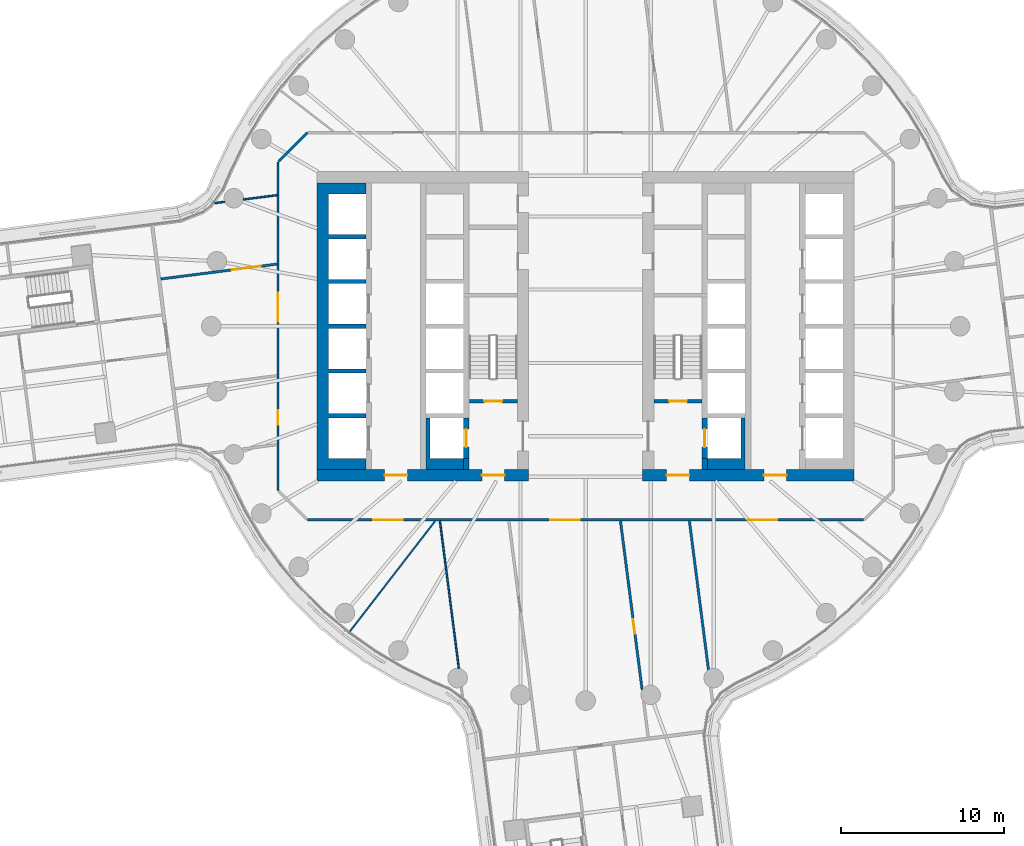
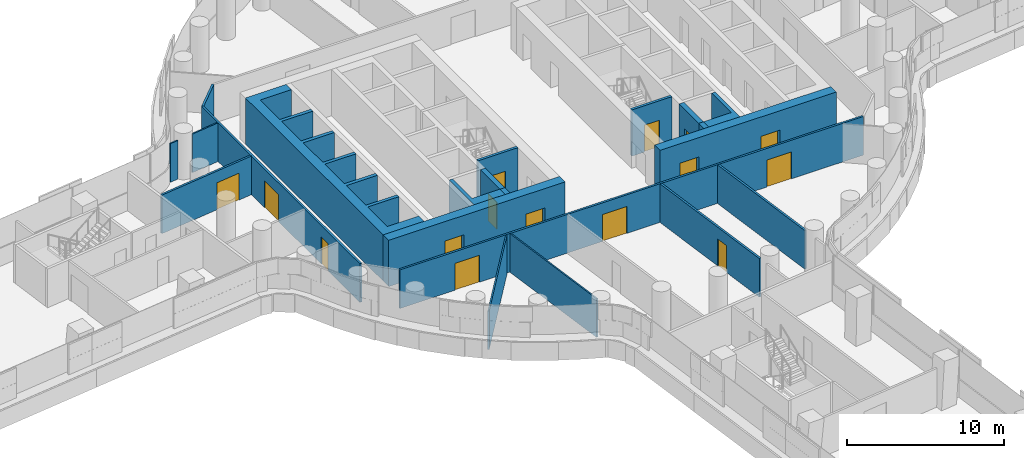
# One storey, part 20 of 31: 21 walls, 15 doors, 15 openings.
"""IFC4 building model written with IfcOpenShell, lengths in metres."""

from ifc_helpers import new_model, si_unit, direction, frame, frame_2d, origin, place, context, subcontext, project, spatial, polyline, rectangle, outline, extrude, material, layer, layer_set, type_object, element, fill, save


model = new_model("IFC4")

# Units and contexts
model_context = context("Model", 3, precision=1e-05, world=origin(), true_north=direction((0.0, 1.0)))
body_context = subcontext(model_context, "Body", "Model", "MODEL_VIEW")
ifc_project = project(units=[si_unit("LENGTHUNIT", "METRE"), si_unit("AREAUNIT", "SQUARE_METRE"), si_unit("VOLUMEUNIT", "CUBIC_METRE"), si_unit("PLANEANGLEUNIT", "RADIAN"), si_unit("MASSUNIT", "GRAM", prefix="KILO")], contexts=[model_context])

# Site, building, storey
site_placement = place(None, origin())
site = spatial("IfcSite", under=ifc_project, at=site_placement, CompositionType="ELEMENT")
building_placement = place(site_placement, origin())
building = spatial("IfcBuilding", under=site, at=building_placement, Name="Tamarind Cross Interchange Tower", CompositionType="ELEMENT")
storey_placement = place(building_placement, frame((0.0, 0.0, 60.25)))
storey = spatial("IfcBuildingStorey", under=building, at=storey_placement, Name="L13", CompositionType="ELEMENT", Elevation=60.25)

# Wall, openings, doors
ifc_material_1 = material(Name="Concrete C80", Category="concrete")
ifc_layer_1 = layer(ifc_material_1, 0.699951171875)
ifc_layer_set_1 = layer_set([ifc_layer_1], Name="Concrete C80")
wall_type_1 = type_object("IfcWallType", Name="Core wall 700 mm Concrete C80", PredefinedType="SHEAR", material=ifc_layer_set_1)
wall_1_placement = place(storey_placement, frame((-16.5, -9.14990234375, 0.0), z_axis=(0.0, 0.0, 1.0), x_axis=(1.0, 0.0, 0.0)))
wall_1 = element("IfcWall", 1, at=wall_1_placement, inside=storey, type_object=wall_type_1, Name="Core wall CWL-L13-W-S", PredefinedType="SHEAR", context=body_context, shape_type="SweptSolid", body=[
    extrude(rectangle(XDim=13.0, YDim=0.699951171875, at=frame_2d((6.5, 0.0))), origin(), (0.0, 0.0, 1.0), 3.610107421875),
])
opening_1_placement = place(wall_1_placement, frame((4.14990234375, 0.0, 0.0)))
opening_1 = element("IfcOpeningElement", 2, at=opening_1_placement, cuts=wall_1, Name="Opening DCW1", PredefinedType="OPENING", context=body_context, shape_type="SweptSolid", body=[
    extrude(rectangle(XDim=1.39990234375, YDim=2.10009765625, at=frame_2d((0.699951171875, 1.050048828125))), frame((0.0, 0.35986328125, 0.0), z_axis=(0.0, -1.0, 0.0), x_axis=(1.0, 0.0, 0.0)), (0.0, 0.0, 1.0), 0.719970703125),
])
opening_2_placement = place(wall_1_placement, frame((10.125, 0.0, 0.0)))
opening_2 = element("IfcOpeningElement", 3, at=opening_2_placement, cuts=wall_1, Name="Opening DCWF", PredefinedType="OPENING", context=body_context, shape_type="SweptSolid", body=[
    extrude(rectangle(XDim=1.39990234375, YDim=2.10009765625, at=frame_2d((0.699951171875, 1.050048828125))), frame((0.0, 0.35986328125, 0.0), z_axis=(0.0, -1.0, 0.0), x_axis=(1.0, 0.0, 0.0)), (0.0, 0.0, 1.0), 0.719970703125),
])
ifc_material_2 = material(Name="Steel, fire-resisting", Category="steel")
door_type_1 = type_object("IfcDoorType", Name="Core fire door 1400 x 2100 FD90", OperationType="SINGLE_SWING_LEFT", PredefinedType="DOOR", material=ifc_material_2)
door_1_placement = place(opening_1_placement, origin())
door_1 = element("IfcDoor", 4, at=door_1_placement, inside=storey, type_object=door_type_1, Name="L13 lift lobby door", OperationType="SINGLE_SWING_LEFT", OverallHeight=2.10009765625, OverallWidth=1.39990234375, PredefinedType="DOOR", context=body_context, shape_type="SweptSolid", body=[
    extrude(rectangle(XDim=1.39990234375, YDim=2.10009765625, at=frame_2d((0.699951171875, 1.050048828125))), frame((0.0, 0.02490234375, 0.0), z_axis=(0.0, -1.0, 0.0), x_axis=(1.0, 0.0, 0.0)), (0.0, 0.0, 1.0), 0.050048828125),
])
fill(opening_1, door_1)
door_2_placement = place(opening_2_placement, origin())
door_2 = element("IfcDoor", 5, at=door_2_placement, inside=storey, type_object=door_type_1, Name="L13 firefighting lobby end door", OperationType="SINGLE_SWING_LEFT", OverallHeight=2.10009765625, OverallWidth=1.39990234375, PredefinedType="DOOR", context=body_context, shape_type="SweptSolid", body=[
    extrude(rectangle(XDim=1.39990234375, YDim=2.10009765625, at=frame_2d((0.699951171875, 1.050048828125))), frame((0.0, 0.02490234375, 0.0), z_axis=(0.0, -1.0, 0.0), x_axis=(1.0, 0.0, 0.0)), (0.0, 0.0, 1.0), 0.050048828125),
])
fill(opening_2, door_2)

# Wall
wall_2_placement = place(storey_placement, origin())
element("IfcWall", 6, at=wall_2_placement, inside=storey, type_object=wall_type_1, Name="Core wall CWL-L13-W-A", PredefinedType="SHEAR", context=body_context, shape_type="SweptSolid", body=[
    extrude(outline(polyline([(-13.5, -8.800048828125), (-13.5, -8.125), (-15.800048828125, -8.125), (-15.800048828125, -5.625), (-13.5, -5.625), (-13.5, -5.375), (-15.800048828125, -5.375), (-15.800048828125, -2.875), (-13.5, -2.875), (-13.5, -2.625), (-15.800048828125, -2.625), (-15.800048828125, -0.125), (-13.5, -0.125), (-13.5, 0.125), (-15.800048828125, 0.125), (-15.800048828125, 2.625), (-13.5, 2.625), (-13.5, 2.875), (-15.800048828125, 2.875), (-15.800048828125, 5.375), (-13.5, 5.375), (-13.5, 5.625), (-15.800048828125, 5.625), (-15.800048828125, 8.125), (-13.5, 8.125), (-13.5, 8.800048828125), (-15.800048828125, 8.800048828125), (-16.5, 8.800048828125), (-16.5, -8.800048828125), (-15.800048828125, -8.800048828125), (-13.5, -8.800048828125)])), origin(), (0.0, 0.0, 1.0), 3.610107421875),
])

# Wall, openings, doors
wall_3_placement = place(storey_placement, frame((16.5, -9.14990234375, 0.0), z_axis=(0.0, 0.0, 1.0), x_axis=(-1.0, 0.0, 0.0)))
wall_3 = element("IfcWall", 7, at=wall_3_placement, inside=storey, type_object=wall_type_1, Name="Core wall CWL-L13-E-S", PredefinedType="SHEAR", context=body_context, shape_type="SweptSolid", body=[
    extrude(rectangle(XDim=13.0, YDim=0.699951171875, at=frame_2d((6.5, 0.0))), origin(), (0.0, 0.0, 1.0), 3.610107421875),
])
opening_3_placement = place(wall_3_placement, frame((4.14990234375, 0.0, 0.0)))
opening_3 = element("IfcOpeningElement", 8, at=opening_3_placement, cuts=wall_3, Name="Opening DCE1", PredefinedType="OPENING", context=body_context, shape_type="SweptSolid", body=[
    extrude(rectangle(XDim=1.39990234375, YDim=2.10009765625, at=frame_2d((0.699951171875, 1.050048828125))), frame((0.0, 0.35986328125, 0.0), z_axis=(0.0, -1.0, 0.0), x_axis=(1.0, 0.0, 0.0)), (0.0, 0.0, 1.0), 0.719970703125),
])
opening_4_placement = place(wall_3_placement, frame((10.125, 0.0, 0.0)))
opening_4 = element("IfcOpeningElement", 9, at=opening_4_placement, cuts=wall_3, Name="Opening DCEF", PredefinedType="OPENING", context=body_context, shape_type="SweptSolid", body=[
    extrude(rectangle(XDim=1.39990234375, YDim=2.10009765625, at=frame_2d((0.699951171875, 1.050048828125))), frame((0.0, 0.35986328125, 0.0), z_axis=(0.0, -1.0, 0.0), x_axis=(1.0, 0.0, 0.0)), (0.0, 0.0, 1.0), 0.719970703125),
])
door_3_placement = place(opening_3_placement, origin())
door_3 = element("IfcDoor", 10, at=door_3_placement, inside=storey, type_object=door_type_1, Name="L13 lift lobby door", OperationType="SINGLE_SWING_LEFT", OverallHeight=2.10009765625, OverallWidth=1.39990234375, PredefinedType="DOOR", context=body_context, shape_type="SweptSolid", body=[
    extrude(rectangle(XDim=1.39990234375, YDim=2.10009765625, at=frame_2d((0.699951171875, 1.050048828125))), frame((0.0, 0.02490234375, 0.0), z_axis=(0.0, -1.0, 0.0), x_axis=(1.0, 0.0, 0.0)), (0.0, 0.0, 1.0), 0.050048828125),
])
fill(opening_3, door_3)
door_4_placement = place(opening_4_placement, origin())
door_4 = element("IfcDoor", 11, at=door_4_placement, inside=storey, type_object=door_type_1, Name="L13 firefighting lobby end door", OperationType="SINGLE_SWING_LEFT", OverallHeight=2.10009765625, OverallWidth=1.39990234375, PredefinedType="DOOR", context=body_context, shape_type="SweptSolid", body=[
    extrude(rectangle(XDim=1.39990234375, YDim=2.10009765625, at=frame_2d((0.699951171875, 1.050048828125))), frame((0.0, 0.02490234375, 0.0), z_axis=(0.0, -1.0, 0.0), x_axis=(1.0, 0.0, 0.0)), (0.0, 0.0, 1.0), 0.050048828125),
])
fill(opening_4, door_4)

# Walls
ifc_layer_2 = layer(ifc_material_1, 0.35009765625)
ifc_layer_set_2 = layer_set([ifc_layer_2], Name="Concrete C80")
wall_type_2 = type_object("IfcWallType", Name="Core web wall 350 mm Concrete C80", PredefinedType="SHEAR", material=ifc_layer_set_2)
wall_4_placement = place(storey_placement, origin())
element("IfcWall", 12, at=wall_4_placement, inside=storey, type_object=wall_type_2, Name="Core wall CWL-L13-W-BS", PredefinedType="SHEAR", context=body_context, shape_type="SweptSolid", body=[
    extrude(outline(polyline([(-7.5, -8.125), (-9.550048828125, -8.125), (-9.550048828125, -5.625), (-9.800048828125, -5.625), (-9.800048828125, -8.125), (-9.800048828125, -8.800048828125), (-7.5, -8.800048828125), (-7.5, -8.125)])), origin(), (0.0, 0.0, 1.0), 3.610107421875),
])
wall_5_placement = place(storey_placement, frame((-7.324951171875, -8.800048828125, 0.0), z_axis=(0.0, 0.0, 1.0), x_axis=(0.0, 1.0, 0.0)))
element("IfcWall", 13, at=wall_5_placement, inside=storey, type_object=wall_type_2, Name="Core wall CWL-L13-W-BW", PredefinedType="SHEAR", context=body_context, shape_type="SweptSolid", body=[
    extrude(rectangle(XDim=0.675048828125, YDim=0.35009765625, at=frame_2d((0.33740234375, 0.0))), origin(), (0.0, 0.0, 1.0), 3.610107421875),
])

# Wall, opening, door
wall_6_placement = place(storey_placement, frame((-7.324951171875, -8.125, 0.0), z_axis=(0.0, 0.0, 1.0), x_axis=(0.0, 1.0, 0.0)))
wall_6 = element("IfcWall", 14, at=wall_6_placement, inside=storey, type_object=wall_type_2, Name="Core wall CWL-L13-W-FF", PredefinedType="SHEAR", context=body_context, shape_type="SweptSolid", body=[
    extrude(rectangle(XDim=2.5, YDim=0.35009765625, at=frame_2d((1.25, 0.0))), origin(), (0.0, 0.0, 1.0), 3.610107421875),
])
opening_5_placement = place(wall_6_placement, frame((0.699951171875, 0.0, 0.0)))
opening_5 = element("IfcOpeningElement", 15, at=opening_5_placement, cuts=wall_6, Name="Opening LD7L13", PredefinedType="OPENING", context=body_context, shape_type="SweptSolid", body=[
    extrude(rectangle(XDim=1.10009765625, YDim=2.10009765625, at=frame_2d((0.550048828125, 1.050048828125))), frame((0.0, 0.18505859375, 0.0), z_axis=(0.0, -1.0, 0.0), x_axis=(1.0, 0.0, 0.0)), (0.0, 0.0, 1.0), 0.3701171875),
])
ifc_material_3 = material(Name="Stainless steel panel", Category="steel")
door_type_2 = type_object("IfcDoorType", Name="Lift landing door 1100 x 2100 E 120", OperationType="SLIDING_TO_LEFT", PredefinedType="DOOR", material=ifc_material_3)
door_5_placement = place(opening_5_placement, origin())
door_5 = element("IfcDoor", 16, at=door_5_placement, inside=storey, type_object=door_type_2, Name="L13 landing door LF7", OperationType="SLIDING_TO_LEFT", OverallHeight=2.10009765625, OverallWidth=1.10009765625, PredefinedType="DOOR", context=body_context, shape_type="SweptSolid", body=[
    extrude(rectangle(XDim=1.10009765625, YDim=2.10009765625, at=frame_2d((0.550048828125, 1.050048828125))), frame((0.0, 0.02490234375, 0.0), z_axis=(0.0, -1.0, 0.0), x_axis=(1.0, 0.0, 0.0)), (0.0, 0.0, 1.0), 0.050048828125),
])
fill(opening_5, door_5)

# Walls
wall_7_placement = place(storey_placement, origin())
element("IfcWall", 17, at=wall_7_placement, inside=storey, type_object=wall_type_2, Name="Core wall CWL-L13-E-BS", PredefinedType="SHEAR", context=body_context, shape_type="SweptSolid", body=[
    extrude(outline(polyline([(7.5, -8.125), (7.5, -8.800048828125), (9.800048828125, -8.800048828125), (9.800048828125, -8.125), (9.800048828125, -5.625), (9.550048828125, -5.625), (9.550048828125, -8.125), (7.5, -8.125)])), origin(), (0.0, 0.0, 1.0), 3.610107421875),
])
wall_8_placement = place(storey_placement, frame((7.324951171875, -8.800048828125, 0.0), z_axis=(0.0, 0.0, 1.0), x_axis=(0.0, 1.0, 0.0)))
element("IfcWall", 18, at=wall_8_placement, inside=storey, type_object=wall_type_2, Name="Core wall CWL-L13-E-BW", PredefinedType="SHEAR", context=body_context, shape_type="SweptSolid", body=[
    extrude(rectangle(XDim=0.675048828125, YDim=0.35009765625, at=frame_2d((0.33740234375, 0.0))), origin(), (0.0, 0.0, 1.0), 3.610107421875),
])

# Wall, opening, door
wall_9_placement = place(storey_placement, frame((7.324951171875, -8.125, 0.0), z_axis=(0.0, 0.0, 1.0), x_axis=(0.0, 1.0, 0.0)))
wall_9 = element("IfcWall", 19, at=wall_9_placement, inside=storey, type_object=wall_type_2, Name="Core wall CWL-L13-E-FF", PredefinedType="SHEAR", context=body_context, shape_type="SweptSolid", body=[
    extrude(rectangle(XDim=2.5, YDim=0.35009765625, at=frame_2d((1.25, 0.0))), origin(), (0.0, 0.0, 1.0), 3.610107421875),
])
opening_6_placement = place(wall_9_placement, frame((0.699951171875, 0.0, 0.0)))
opening_6 = element("IfcOpeningElement", 20, at=opening_6_placement, cuts=wall_9, Name="Opening LD19L13", PredefinedType="OPENING", context=body_context, shape_type="SweptSolid", body=[
    extrude(rectangle(XDim=1.10009765625, YDim=2.10009765625, at=frame_2d((0.550048828125, 1.050048828125))), frame((0.0, 0.18505859375, 0.0), z_axis=(0.0, -1.0, 0.0), x_axis=(1.0, 0.0, 0.0)), (0.0, 0.0, 1.0), 0.3701171875),
])
door_6_placement = place(opening_6_placement, origin())
door_6 = element("IfcDoor", 21, at=door_6_placement, inside=storey, type_object=door_type_2, Name="L13 landing door LF19", OperationType="SLIDING_TO_LEFT", OverallHeight=2.10009765625, OverallWidth=1.10009765625, PredefinedType="DOOR", context=body_context, shape_type="SweptSolid", body=[
    extrude(rectangle(XDim=1.10009765625, YDim=2.10009765625, at=frame_2d((0.550048828125, 1.050048828125))), frame((0.0, 0.02490234375, 0.0), z_axis=(0.0, -1.0, 0.0), x_axis=(1.0, 0.0, 0.0)), (0.0, 0.0, 1.0), 0.050048828125),
])
fill(opening_6, door_6)

# Walls
ifc_material_4 = material(Name="Gypsum board partition on steel studs", Category="steel")
ifc_layer_3 = layer(ifc_material_4, 0.10009765625)
ifc_layer_set_3 = layer_set([ifc_layer_3], Name="Gypsum board partition on steel studs")
wall_type_3 = type_object("IfcWallType", Name="Partition 100 mm EI 90", PredefinedType="PARTITIONING", material=ifc_layer_set_3)
wall_10_placement = place(storey_placement, frame((-8.95068359375, -11.964599609375, 0.0), z_axis=(0.0, 0.0, 1.0), x_axis=(0.12728771163, -0.99186583693, 0.0)))
element("IfcWall", 22, at=wall_10_placement, inside=storey, type_object=wall_type_3, Name="Partition L13-006", PredefinedType="PARTITIONING", context=body_context, shape_type="SweptSolid", body=[
    extrude(rectangle(XDim=9.133544921875, YDim=0.10009765625, at=frame_2d((4.56689453125, 0.0))), origin(), (0.0, 0.0, 1.0), 3.010009765625),
])
wall_11_placement = place(storey_placement, frame((-22.775146484375, 7.563232421875, 0.0), z_axis=(0.0, 0.0, 1.0), x_axis=(0.991914874359, 0.126905011825, 0.0)))
element("IfcWall", 23, at=wall_11_placement, inside=storey, type_object=wall_type_3, Name="Partition L13-042", PredefinedType="PARTITIONING", context=body_context, shape_type="SweptSolid", body=[
    extrude(rectangle(XDim=0.617431640625, YDim=0.10009765625, at=frame_2d((0.30859375, 0.0))), origin(), (0.0, 0.0, 1.0), 3.010009765625),
])
wall_12_placement = place(storey_placement, frame((-21.02392578125, 7.78759765625, 0.0), z_axis=(0.0, 0.0, 1.0), x_axis=(0.991872915336, 0.127232542311, 0.0)))
element("IfcWall", 24, at=wall_12_placement, inside=storey, type_object=wall_type_3, Name="Partition L13-043", PredefinedType="PARTITIONING", context=body_context, shape_type="SweptSolid", body=[
    extrude(rectangle(XDim=2.076171875, YDim=0.10009765625, at=frame_2d((1.0380859375, 0.0))), origin(), (0.0, 0.0, 1.0), 3.010009765625),
])
wall_13_placement = place(storey_placement, frame((-14.485107421875, -18.750732421875, 0.0), z_axis=(0.0, 0.0, 1.0), x_axis=(0.611328797993, 0.791376712284, 0.0)))
element("IfcWall", 25, at=wall_13_placement, inside=storey, type_object=wall_type_3, Name="Partition L13-072", PredefinedType="PARTITIONING", context=body_context, shape_type="SweptSolid", body=[
    extrude(rectangle(XDim=8.546630859375, YDim=0.10009765625, at=frame_2d((4.2734375, 0.0))), origin(), (0.0, 0.0, 1.0), 3.010009765625),
])

# Wall, opening, door
ifc_layer_4 = layer(ifc_material_4, 0.14990234375)
ifc_layer_set_4 = layer_set([ifc_layer_4], Name="Gypsum board partition on steel studs")
wall_type_4 = type_object("IfcWallType", Name="Partition 150 mm EI 120", PredefinedType="PARTITIONING", material=ifc_layer_set_4)
wall_14_placement = place(storey_placement, frame((2.140869140625, -11.969482421875, 0.0), z_axis=(0.0, 0.0, 1.0), x_axis=(0.127264456969, -0.99186882096, 0.0)))
wall_14 = element("IfcWall", 26, at=wall_14_placement, inside=storey, type_object=wall_type_4, Name="Partition L13-018", PredefinedType="PARTITIONING", context=body_context, shape_type="SweptSolid", body=[
    extrude(rectangle(XDim=10.455078125, YDim=0.14990234375, at=frame_2d((5.2275390625, 0.0))), origin(), (0.0, 0.0, 1.0), 3.010009765625),
])
opening_7_placement = place(wall_14_placement, frame((6.080078125, 0.0, 0.0)))
opening_7 = element("IfcOpeningElement", 27, at=opening_7_placement, cuts=wall_14, Name="Opening D14", PredefinedType="OPENING", context=body_context, shape_type="SweptSolid", body=[
    extrude(rectangle(XDim=0.89990234375, YDim=2.10009765625, at=frame_2d((0.449951171875, 1.050048828125))), frame((0.0, 0.0849609375, 0.0), z_axis=(0.0, -1.0, 0.0), x_axis=(1.0, 0.0, 0.0)), (0.0, 0.0, 1.0), 0.169921875),
])
ifc_material_5 = material(Name="Fire-resisting door set")
door_type_3 = type_object("IfcDoorType", Name="Interior door 900 x 2100 FD60S", OperationType="SINGLE_SWING_LEFT", PredefinedType="DOOR", material=ifc_material_5)
door_7_placement = place(opening_7_placement, origin())
door_7 = element("IfcDoor", 28, at=door_7_placement, inside=storey, type_object=door_type_3, Name="Door D14", OperationType="SINGLE_SWING_LEFT", OverallHeight=2.10009765625, OverallWidth=0.89990234375, PredefinedType="DOOR", context=body_context, shape_type="SweptSolid", body=[
    extrude(rectangle(XDim=0.89990234375, YDim=2.10009765625, at=frame_2d((0.449951171875, 1.050048828125))), frame((0.0, 0.02490234375, 0.0), z_axis=(0.0, -1.0, 0.0), x_axis=(1.0, 0.0, 0.0)), (0.0, 0.0, 1.0), 0.050048828125),
])
fill(opening_7, door_7)

# Wall
wall_15_placement = place(storey_placement, frame((6.375, -11.969482421875, 0.0), z_axis=(0.0, 0.0, 1.0), x_axis=(0.127255978351, -0.991869908795, 0.0)))
element("IfcWall", 29, at=wall_15_placement, inside=storey, type_object=wall_type_4, Name="Partition L13-022", PredefinedType="PARTITIONING", context=body_context, shape_type="SweptSolid", body=[
    extrude(rectangle(XDim=9.205078125, YDim=0.14990234375, at=frame_2d((4.6025390625, 0.0))), origin(), (0.0, 0.0, 1.0), 3.010009765625),
])

# Wall, openings, doors
wall_16_placement = place(storey_placement, frame((-17.10009765625, -11.89990234375, 0.0), z_axis=(0.0, 0.0, 1.0), x_axis=(1.0, 0.0, 0.0)))
wall_16 = element("IfcWall", 30, at=wall_16_placement, inside=storey, type_object=wall_type_4, Name="Partition L13-033", PredefinedType="PARTITIONING", context=body_context, shape_type="SweptSolid", body=[
    extrude(rectangle(XDim=34.1650390625, YDim=0.14990234375, at=frame_2d((17.08251953125, 0.0))), origin(), (0.0, 0.0, 1.0), 3.010009765625),
])
opening_8_placement = place(wall_16_placement, frame((14.926025390625, 0.0, 0.0)))
opening_8 = element("IfcOpeningElement", 31, at=opening_8_placement, cuts=wall_16, Name="Opening D18", PredefinedType="OPENING", context=body_context, shape_type="SweptSolid", body=[
    extrude(rectangle(XDim=1.800048828125, YDim=2.10009765625, at=frame_2d((0.89990234375, 1.050048828125))), frame((0.0, 0.0849609375, 0.0), z_axis=(0.0, -1.0, 0.0), x_axis=(1.0, 0.0, 0.0)), (0.0, 0.0, 1.0), 0.169921875),
])
opening_9_placement = place(wall_16_placement, frame((4.050048828125, 0.0, 0.0)))
opening_9 = element("IfcOpeningElement", 32, at=opening_9_placement, cuts=wall_16, Name="Opening D19", PredefinedType="OPENING", context=body_context, shape_type="SweptSolid", body=[
    extrude(rectangle(XDim=1.800048828125, YDim=2.10009765625, at=frame_2d((0.89990234375, 1.050048828125))), frame((0.0, 0.0849609375, 0.0), z_axis=(0.0, -1.0, 0.0), x_axis=(1.0, 0.0, 0.0)), (0.0, 0.0, 1.0), 0.169921875),
])
opening_10_placement = place(wall_16_placement, frame((27.06591796875, 0.0, 0.0)))
opening_10 = element("IfcOpeningElement", 33, at=opening_10_placement, cuts=wall_16, Name="Opening D20", PredefinedType="OPENING", context=body_context, shape_type="SweptSolid", body=[
    extrude(rectangle(XDim=1.800048828125, YDim=2.10009765625, at=frame_2d((0.89990234375, 1.050048828125))), frame((0.0, 0.0849609375, 0.0), z_axis=(0.0, -1.0, 0.0), x_axis=(1.0, 0.0, 0.0)), (0.0, 0.0, 1.0), 0.169921875),
])
door_type_4 = type_object("IfcDoorType", Name="Interior door 1800 x 2100 FD60S", OperationType="DOUBLE_DOOR_SINGLE_SWING", PredefinedType="DOOR", material=ifc_material_5)
door_8_placement = place(opening_8_placement, origin())
door_8 = element("IfcDoor", 34, at=door_8_placement, inside=storey, type_object=door_type_4, Name="Door D18", OperationType="DOUBLE_DOOR_SINGLE_SWING", OverallHeight=2.10009765625, OverallWidth=1.800048828125, PredefinedType="DOOR", context=body_context, shape_type="SweptSolid", body=[
    extrude(rectangle(XDim=1.800048828125, YDim=2.10009765625, at=frame_2d((0.89990234375, 1.050048828125))), frame((0.0, 0.02490234375, 0.0), z_axis=(0.0, -1.0, 0.0), x_axis=(1.0, 0.0, 0.0)), (0.0, 0.0, 1.0), 0.050048828125),
])
fill(opening_8, door_8)
door_9_placement = place(opening_9_placement, frame((1.800048828125, 0.0, 0.0), z_axis=(0.0, 0.0, 1.0), x_axis=(-1.0, 0.0, 0.0)))
door_9 = element("IfcDoor", 35, at=door_9_placement, inside=storey, type_object=door_type_4, Name="Door D19", OperationType="DOUBLE_DOOR_SINGLE_SWING", OverallHeight=2.10009765625, OverallWidth=1.800048828125, PredefinedType="DOOR", context=body_context, shape_type="SweptSolid", body=[
    extrude(rectangle(XDim=1.800048828125, YDim=2.10009765625, at=frame_2d((0.89990234375, 1.050048828125))), frame((0.0, 0.02490234375, 0.0), z_axis=(0.0, -1.0, 0.0), x_axis=(1.0, 0.0, 0.0)), (0.0, 0.0, 1.0), 0.050048828125),
])
fill(opening_9, door_9)
door_10_placement = place(opening_10_placement, frame((1.800048828125, 0.0, 0.0), z_axis=(0.0, 0.0, 1.0), x_axis=(-1.0, 0.0, 0.0)))
door_10 = element("IfcDoor", 36, at=door_10_placement, inside=storey, type_object=door_type_4, Name="Door D20", OperationType="DOUBLE_DOOR_SINGLE_SWING", OverallHeight=2.10009765625, OverallWidth=1.800048828125, PredefinedType="DOOR", context=body_context, shape_type="SweptSolid", body=[
    extrude(rectangle(XDim=1.800048828125, YDim=2.10009765625, at=frame_2d((0.89990234375, 1.050048828125))), frame((0.0, 0.02490234375, 0.0), z_axis=(0.0, -1.0, 0.0), x_axis=(1.0, 0.0, 0.0)), (0.0, 0.0, 1.0), 0.050048828125),
])
fill(opening_10, door_10)

# Wall, opening, door
wall_17_placement = place(storey_placement, frame((-26.102783203125, 2.901611328125, 0.0), z_axis=(0.0, 0.0, 1.0), x_axis=(0.991864088846, 0.127301332506, 0.0)))
wall_17 = element("IfcWall", 37, at=wall_17_placement, inside=storey, type_object=wall_type_4, Name="Partition L13-037", PredefinedType="PARTITIONING", context=body_context, shape_type="SweptSolid", body=[
    extrude(rectangle(XDim=7.19189453125, YDim=0.14990234375, at=frame_2d((3.595947265625, 0.0))), origin(), (0.0, 0.0, 1.0), 3.010009765625),
])
opening_11_placement = place(wall_17_placement, frame((4.39990234375, 0.0, 0.0)))
opening_11 = element("IfcOpeningElement", 38, at=opening_11_placement, cuts=wall_17, Name="Opening D26", PredefinedType="OPENING", context=body_context, shape_type="SweptSolid", body=[
    extrude(rectangle(XDim=1.800048828125, YDim=2.10009765625, at=frame_2d((0.89990234375, 1.050048828125))), frame((0.0, 0.0849609375, 0.0), z_axis=(0.0, -1.0, 0.0), x_axis=(1.0, 0.0, 0.0)), (0.0, 0.0, 1.0), 0.169921875),
])
door_11_placement = place(opening_11_placement, origin())
door_11 = element("IfcDoor", 39, at=door_11_placement, inside=storey, type_object=door_type_4, Name="Door D26", OperationType="DOUBLE_DOOR_SINGLE_SWING", OverallHeight=2.10009765625, OverallWidth=1.800048828125, PredefinedType="DOOR", context=body_context, shape_type="SweptSolid", body=[
    extrude(rectangle(XDim=1.800048828125, YDim=2.10009765625, at=frame_2d((0.89990234375, 1.050048828125))), frame((0.0, 0.02490234375, 0.0), z_axis=(0.0, -1.0, 0.0), x_axis=(1.0, 0.0, 0.0)), (0.0, 0.0, 1.0), 0.050048828125),
])
fill(opening_11, door_11)

# Wall
wall_18_placement = place(storey_placement, frame((-18.87158203125, 10.12841796875, 0.0), z_axis=(0.0, 0.0, 1.0), x_axis=(0.707106781187, 0.707106781187, 0.0)))
element("IfcWall", 40, at=wall_18_placement, inside=storey, type_object=wall_type_4, Name="Partition L13-070", PredefinedType="PARTITIONING", context=body_context, shape_type="SweptSolid", body=[
    extrude(rectangle(XDim=2.50537109375, YDim=0.14990234375, at=frame_2d((1.252685546875, 0.0))), origin(), (0.0, 0.0, 1.0), 3.010009765625),
])

# Wall, openings, doors
wall_19_placement = place(storey_placement, frame((-18.89990234375, -10.10009765625, 0.0), z_axis=(0.0, 0.0, 1.0), x_axis=(0.0, 1.0, 0.0)))
wall_19 = element("IfcWall", 41, at=wall_19_placement, inside=storey, type_object=wall_type_4, Name="Partition L13-074", PredefinedType="PARTITIONING", context=body_context, shape_type="SweptSolid", body=[
    extrude(rectangle(XDim=20.2001953125, YDim=0.14990234375, at=frame_2d((10.10009765625, 0.0))), origin(), (0.0, 0.0, 1.0), 3.010009765625),
])
opening_12_placement = place(wall_19_placement, frame((10.3701171875, 0.0, 0.0)))
opening_12 = element("IfcOpeningElement", 42, at=opening_12_placement, cuts=wall_19, Name="Opening D37", PredefinedType="OPENING", context=body_context, shape_type="SweptSolid", body=[
    extrude(rectangle(XDim=1.800048828125, YDim=2.10009765625, at=frame_2d((0.89990234375, 1.050048828125))), frame((0.0, 0.0849609375, 0.0), z_axis=(0.0, -1.0, 0.0), x_axis=(1.0, 0.0, 0.0)), (0.0, 0.0, 1.0), 0.169921875),
])
opening_13_placement = place(wall_19_placement, frame((4.035888671875, 0.0, 0.0)))
opening_13 = element("IfcOpeningElement", 43, at=opening_13_placement, cuts=wall_19, Name="Opening D38", PredefinedType="OPENING", context=body_context, shape_type="SweptSolid", body=[
    extrude(rectangle(XDim=0.89990234375, YDim=2.10009765625, at=frame_2d((0.449951171875, 1.050048828125))), frame((0.0, 0.0849609375, 0.0), z_axis=(0.0, -1.0, 0.0), x_axis=(1.0, 0.0, 0.0)), (0.0, 0.0, 1.0), 0.169921875),
])
door_12_placement = place(opening_12_placement, frame((1.800048828125, 0.0, 0.0), z_axis=(0.0, 0.0, 1.0), x_axis=(-1.0, 0.0, 0.0)))
door_12 = element("IfcDoor", 44, at=door_12_placement, inside=storey, type_object=door_type_4, Name="Door D37", OperationType="DOUBLE_DOOR_SINGLE_SWING", OverallHeight=2.10009765625, OverallWidth=1.800048828125, PredefinedType="DOOR", context=body_context, shape_type="SweptSolid", body=[
    extrude(rectangle(XDim=1.800048828125, YDim=2.10009765625, at=frame_2d((0.89990234375, 1.050048828125))), frame((0.0, 0.02490234375, 0.0), z_axis=(0.0, -1.0, 0.0), x_axis=(1.0, 0.0, 0.0)), (0.0, 0.0, 1.0), 0.050048828125),
])
fill(opening_12, door_12)
door_13_placement = place(opening_13_placement, origin())
door_13 = element("IfcDoor", 45, at=door_13_placement, inside=storey, type_object=door_type_3, Name="Door D38", OperationType="SINGLE_SWING_RIGHT", OverallHeight=2.10009765625, OverallWidth=0.89990234375, PredefinedType="DOOR", context=body_context, shape_type="SweptSolid", body=[
    extrude(rectangle(XDim=0.89990234375, YDim=2.10009765625, at=frame_2d((0.449951171875, 1.050048828125))), frame((0.0, 0.02490234375, 0.0), z_axis=(0.0, -1.0, 0.0), x_axis=(1.0, 0.0, 0.0)), (0.0, 0.0, 1.0), 0.050048828125),
])
fill(opening_13, door_13)

# Wall, opening, door
ifc_material_6 = material(Name="Concrete C40", Category="concrete")
ifc_layer_5 = layer(ifc_material_6, 0.199951171875)
ifc_layer_set_5 = layer_set([ifc_layer_5], Name="Concrete C40")
wall_type_5 = type_object("IfcWallType", Name="Stair shaft wall 200 mm Concrete C40", PredefinedType="SHEAR", material=ifc_layer_set_5)
wall_20_placement = place(storey_placement, frame((-7.14990234375, -4.60009765625, 0.0), z_axis=(0.0, 0.0, 1.0), x_axis=(1.0, 0.0, 0.0)))
wall_20 = element("IfcWall", 46, at=wall_20_placement, inside=storey, type_object=wall_type_5, Name="Core wall CWL-L13-W-SD", PredefinedType="SHEAR", context=body_context, shape_type="SweptSolid", body=[
    extrude(rectangle(XDim=2.949951171875, YDim=0.199951171875, at=frame_2d((1.47509765625, 0.0))), origin(), (0.0, 0.0, 1.0), 3.610107421875),
])
opening_14_placement = place(wall_20_placement, frame((0.925048828125, 0.0, 0.0)))
opening_14 = element("IfcOpeningElement", 47, at=opening_14_placement, cuts=wall_20, Name="Opening DCW6", PredefinedType="OPENING", context=body_context, shape_type="SweptSolid", body=[
    extrude(rectangle(XDim=1.10009765625, YDim=2.10009765625, at=frame_2d((0.550048828125, 1.050048828125))), frame((0.0, 0.10986328125, 0.0), z_axis=(0.0, -1.0, 0.0), x_axis=(1.0, 0.0, 0.0)), (0.0, 0.0, 1.0), 0.219970703125),
])
door_type_5 = type_object("IfcDoorType", Name="Core fire door 1100 x 2100 FD90", OperationType="SINGLE_SWING_LEFT", PredefinedType="DOOR", material=ifc_material_2)
door_14_placement = place(opening_14_placement, origin())
door_14 = element("IfcDoor", 48, at=door_14_placement, inside=storey, type_object=door_type_5, Name="L13 stair door", OperationType="SINGLE_SWING_LEFT", OverallHeight=2.10009765625, OverallWidth=1.10009765625, PredefinedType="DOOR", context=body_context, shape_type="SweptSolid", body=[
    extrude(rectangle(XDim=1.10009765625, YDim=2.10009765625, at=frame_2d((0.550048828125, 1.050048828125))), frame((0.0, 0.02490234375, 0.0), z_axis=(0.0, -1.0, 0.0), x_axis=(1.0, 0.0, 0.0)), (0.0, 0.0, 1.0), 0.050048828125),
])
fill(opening_14, door_14)

wall_21_placement = place(storey_placement, frame((7.14990234375, -4.60009765625, 0.0), z_axis=(0.0, 0.0, 1.0), x_axis=(-1.0, 0.0, 0.0)))
wall_21 = element("IfcWall", 49, at=wall_21_placement, inside=storey, type_object=wall_type_5, Name="Core wall CWL-L13-E-SD", PredefinedType="SHEAR", context=body_context, shape_type="SweptSolid", body=[
    extrude(rectangle(XDim=2.949951171875, YDim=0.199951171875, at=frame_2d((1.47509765625, 0.0))), origin(), (0.0, 0.0, 1.0), 3.610107421875),
])
opening_15_placement = place(wall_21_placement, frame((0.925048828125, 0.0, 0.0)))
opening_15 = element("IfcOpeningElement", 50, at=opening_15_placement, cuts=wall_21, Name="Opening DCE6", PredefinedType="OPENING", context=body_context, shape_type="SweptSolid", body=[
    extrude(rectangle(XDim=1.10009765625, YDim=2.10009765625, at=frame_2d((0.550048828125, 1.050048828125))), frame((0.0, 0.10986328125, 0.0), z_axis=(0.0, -1.0, 0.0), x_axis=(1.0, 0.0, 0.0)), (0.0, 0.0, 1.0), 0.219970703125),
])
door_15_placement = place(opening_15_placement, origin())
door_15 = element("IfcDoor", 51, at=door_15_placement, inside=storey, type_object=door_type_5, Name="L13 stair door", OperationType="SINGLE_SWING_LEFT", OverallHeight=2.10009765625, OverallWidth=1.10009765625, PredefinedType="DOOR", context=body_context, shape_type="SweptSolid", body=[
    extrude(rectangle(XDim=1.10009765625, YDim=2.10009765625, at=frame_2d((0.550048828125, 1.050048828125))), frame((0.0, 0.02490234375, 0.0), z_axis=(0.0, -1.0, 0.0), x_axis=(1.0, 0.0, 0.0)), (0.0, 0.0, 1.0), 0.050048828125),
])
fill(opening_15, door_15)

save(model, "model.ifc")
